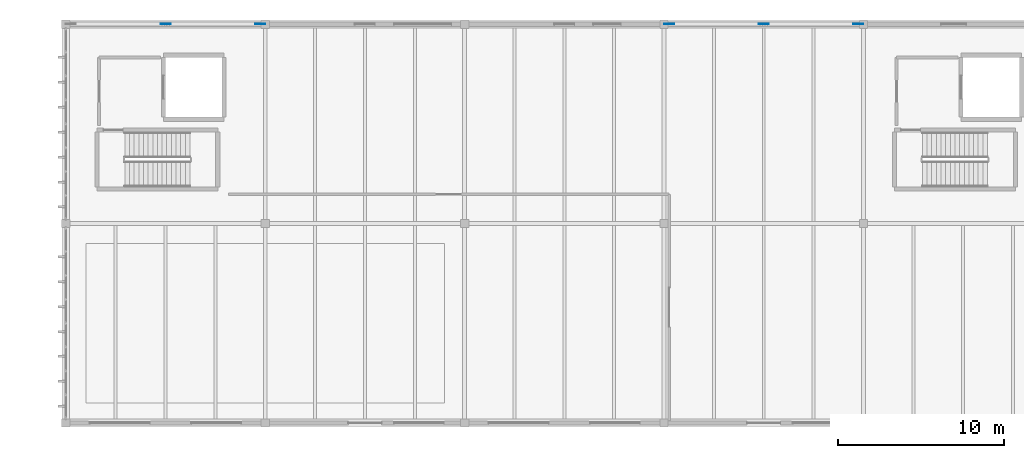
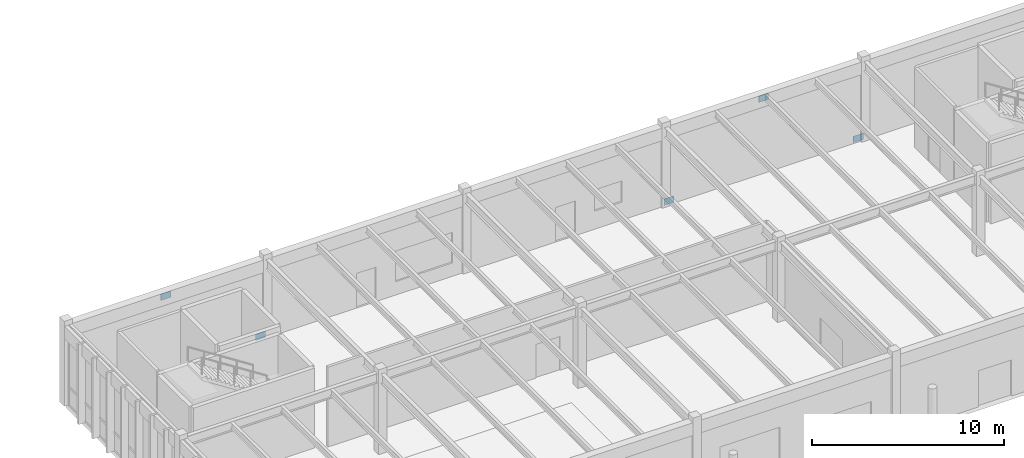
# One storey, part 157 of 188: 5 plates.
"""IFC4 building model written with IfcOpenShell, lengths in metres."""

from ifc_helpers import new_model, si_unit, direction, frame, origin, origin_2d, place, context, subcontext, project, spatial, rectangle, extrude, material, layer, layer_set, type_object, element, save


model = new_model("IFC4")

# Units and contexts
model_context = context("Model", 3, precision=1e-05, world=origin(), true_north=direction((0.0, 1.0)))
body_context = subcontext(model_context, "Body", "Model", "MODEL_VIEW")
ifc_project = project(units=[si_unit("LENGTHUNIT", "METRE"), si_unit("AREAUNIT", "SQUARE_METRE"), si_unit("VOLUMEUNIT", "CUBIC_METRE"), si_unit("PLANEANGLEUNIT", "RADIAN"), si_unit("MASSUNIT", "GRAM", prefix="KILO")], contexts=[model_context])

# Site, building, storey
site_placement = place(None, origin())
site = spatial("IfcSite", under=ifc_project, at=site_placement, CompositionType="ELEMENT")
building_placement = place(site_placement, origin())
building = spatial("IfcBuilding", under=site, at=building_placement, Name="Pandanus Reach Market Hall", CompositionType="ELEMENT")
storey_placement = place(building_placement, origin())
storey = spatial("IfcBuildingStorey", under=building, at=storey_placement, Name="L00", CompositionType="ELEMENT", Elevation=0.0)

# Plates
ifc_material = material(Name="Steel Grade 350 (350 MPa)", Category="steel")
ifc_layer = layer(ifc_material, 0.02392578125, Name="GS-PL24")
ifc_layer_set = layer_set([ifc_layer], Name="Steel Grade 350 (350 MPa)")
plate_type = type_object("IfcPlateType", Name="GS-PL24", PredefinedType="SHEET", material=ifc_layer_set)
for number, where, z_axis, x_axis, name in (
    (1, (66.0, 120.0, 4.5), (0.0, 0.0, 1.0), (1.0, 0.0, 0.0), "Brace gusset plate GS-PL24 5M"),
    (2, (71.699951171875, 120.0, -0.050048828125), (0.0, 0.0, 1.0), (1.0, 0.0, 0.0), "Brace gusset plate GS-PL24 5R"),
    (3, (96.300048828125, 120.0, -0.050048828125), (0.0, 0.0, 1.0), (1.0, 0.0, 0.0), "Brace gusset plate GS-PL24 6L"),
    (4, (102.0, 120.0, 4.5), (0.0, 0.0, 1.0), (1.0, 0.0, 0.0), "Brace gusset plate GS-PL24 6M"),
    (5, (107.699951171875, 120.0, -0.050048828125), (0.0, 0.0, 1.0), (1.0, 0.0, 0.0), "Brace gusset plate GS-PL24 6R"),
):
    element("IfcPlate", number, at=place(storey_placement, frame(where, z_axis=z_axis, x_axis=x_axis)), inside=storey, type_object=plate_type, Name=name, PredefinedType="SHEET", context=body_context, shape_type="SweptSolid", body=[
        extrude(rectangle(XDim=0.60009765625, YDim=0.02392578125, at=origin_2d()), origin(), (0.0, 0.0, 1.0), 0.39990234375),
    ])

save(model, "model.ifc")
